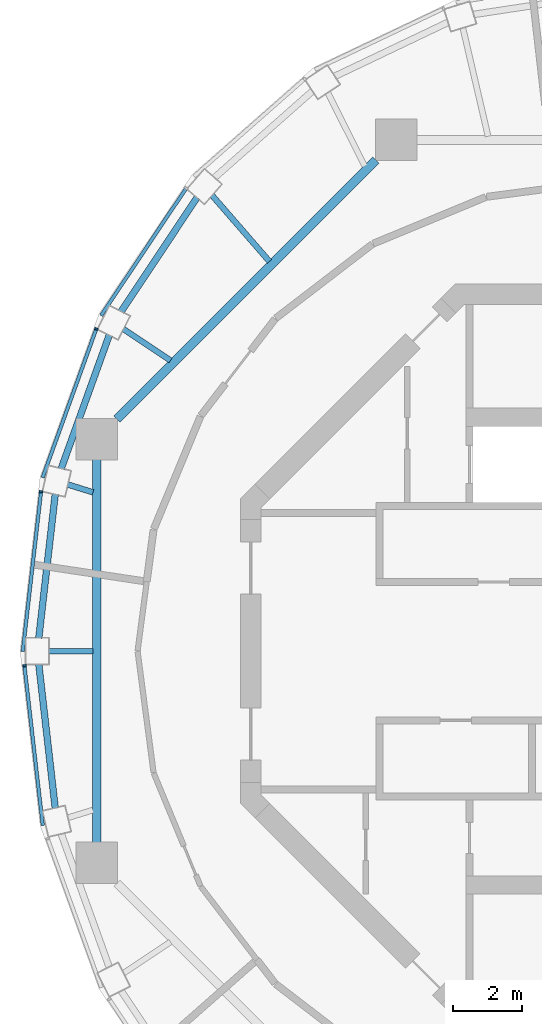
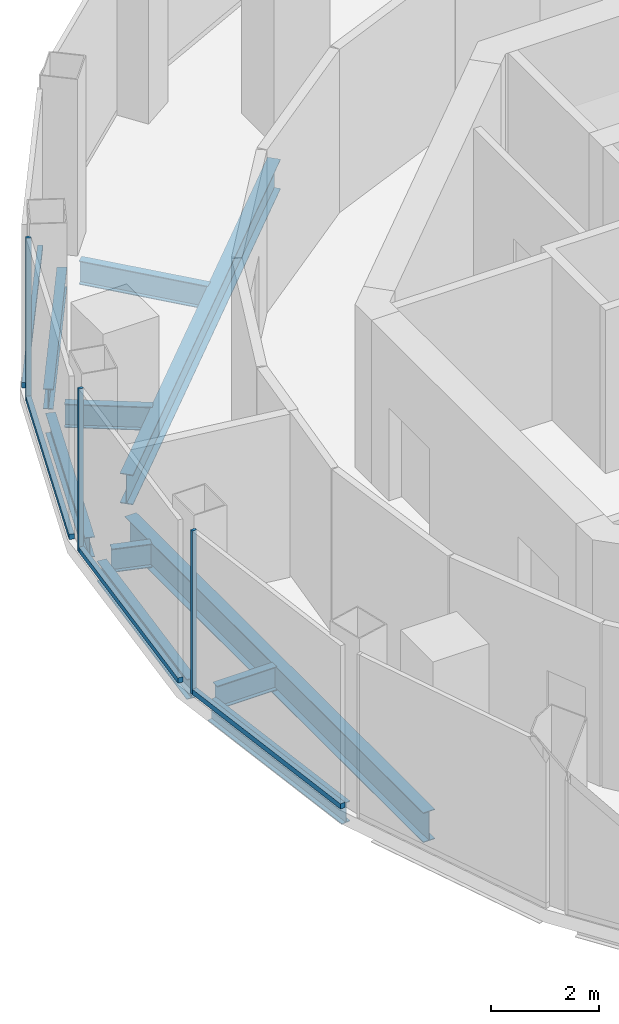
# One storey, part 4 of 11: 10 beams, 7 members, 4 elements without a shape of their own.
"""IFC4 building model written with IfcOpenShell, lengths in metres."""

from ifc_helpers import new_model, si_unit, direction, frame, origin, origin_2d, place, context, subcontext, project, spatial, rectangle, i_section, extrude, material, layer, layer_set, material_profile, profile_set, type_object, element, aggregate, save


model = new_model("IFC4")

# Units and contexts
model_context = context("Model", 3, precision=1e-05, world=origin(), true_north=direction((0.0, 1.0)))
body_context = subcontext(model_context, "Body", "Model", "MODEL_VIEW")
ifc_project = project(units=[si_unit("LENGTHUNIT", "METRE"), si_unit("AREAUNIT", "SQUARE_METRE"), si_unit("VOLUMEUNIT", "CUBIC_METRE"), si_unit("PLANEANGLEUNIT", "RADIAN"), si_unit("MASSUNIT", "GRAM", prefix="KILO")], contexts=[model_context])

# Site, building, storey
site_placement = place(None, origin())
site = spatial("IfcSite", under=ifc_project, at=site_placement, CompositionType="ELEMENT")
building_placement = place(site_placement, origin())
building = spatial("IfcBuilding", under=site, at=building_placement, Name="Nagisa Residences", CompositionType="ELEMENT")
storey_placement = place(building_placement, frame((0.0, 0.0, 332.89990234375)))
storey = spatial("IfcBuildingStorey", under=building, at=storey_placement, Name="L82", CompositionType="ELEMENT", Elevation=332.89990234375)

# Curtain wall, member
ifc_material_1 = material(Name="Aluminium curtain wall system", Category="aluminium")
ifc_layer = layer(ifc_material_1, 0.159912109375)
ifc_layer_set = layer_set([ifc_layer], Name="CW5 CURTAIN WALL")
curtain_wall_type = type_object("IfcCurtainWallType", Name="CW5 CURTAIN WALL", PredefinedType="NOTDEFINED", material=ifc_layer_set)
curtain_wall_1_placement = place(storey_placement, origin())
curtain_wall_1 = element("IfcCurtainWall", 1, at=curtain_wall_1_placement, inside=storey, type_object=curtain_wall_type, Name="cw:CW5:L82:10", PredefinedType="NOTDEFINED")
ifc_material_2 = material(Name="Aluminium", Category="aluminium")
ifc_material_profile_1 = material_profile(ifc_material_2, rectangle(XDim=0.10009765625, YDim=0.06005859375, at=origin_2d()), Name="CW5 MULLION 100x60")
ifc_profile_set_1 = profile_set([ifc_material_profile_1], Name="Aluminium")
member_type_1 = type_object("IfcMemberType", Name="CW5 MULLION 100x60", PredefinedType="MULLION", material=ifc_profile_set_1)
member_1_placement = place(storey_placement, frame((-14.793212890625, 9.318359375, 0.0), z_axis=(0.0, 0.0, 1.0), x_axis=(0.940554456033, -0.339642923136, 0.0)))
member_1 = element("IfcMember", 2, at=member_1_placement, type_object=member_type_1, Name="CW5 mullion", PredefinedType="MULLION", context=body_context, shape_type="SweptSolid", body=[
    extrude(rectangle(XDim=0.10009765625, YDim=0.06005859375, at=origin_2d()), origin(), (0.0, 0.0, 1.0), 3.7001953125),
])

curtain_wall_2_placement = place(storey_placement, origin())
curtain_wall_2 = element("IfcCurtainWall", 3, at=curtain_wall_2_placement, inside=storey, type_object=curtain_wall_type, Name="cw:CW5:L82:11", PredefinedType="NOTDEFINED")
member_2_placement = place(storey_placement, frame((-16.390380859375, 4.610595703125, 0.0), z_axis=(0.0, 0.0, 1.0), x_axis=(0.993477835048, -0.114025397474, 0.0)))
member_2 = element("IfcMember", 4, at=member_2_placement, type_object=member_type_1, Name="CW5 mullion", PredefinedType="MULLION", context=body_context, shape_type="SweptSolid", body=[
    extrude(rectangle(XDim=0.10009765625, YDim=0.06005859375, at=origin_2d()), origin(), (0.0, 0.0, 1.0), 3.7001953125),
])

curtain_wall_3_placement = place(storey_placement, origin())
curtain_wall_3 = element("IfcCurtainWall", 5, at=curtain_wall_3_placement, inside=storey, type_object=curtain_wall_type, Name="cw:CW5:L82:12", PredefinedType="NOTDEFINED")
member_3_placement = place(storey_placement, frame((-16.87158203125, -0.41796875, 0.0), z_axis=(0.0, 0.0, 1.0), x_axis=(0.993477835048, 0.114025397474, 0.0)))
member_3 = element("IfcMember", 6, at=member_3_placement, type_object=member_type_1, Name="CW5 mullion", PredefinedType="MULLION", context=body_context, shape_type="SweptSolid", body=[
    extrude(rectangle(XDim=0.10009765625, YDim=0.06005859375, at=origin_2d()), origin(), (0.0, 0.0, 1.0), 3.7001953125),
])

curtain_wall_4_placement = place(storey_placement, origin())
curtain_wall_4 = element("IfcCurtainWall", 7, at=curtain_wall_4_placement, inside=storey, type_object=curtain_wall_type, Name="cw:CW5:L82:09", PredefinedType="NOTDEFINED")
ifc_material_3 = material(Name="Aluminium", Category="aluminium")
ifc_material_profile_2 = material_profile(ifc_material_3, rectangle(XDim=0.10009765625, YDim=0.1201171875, at=origin_2d()), Name="CW5 TRANSOM 100x120")
ifc_profile_set_2 = profile_set([ifc_material_profile_2], Name="Aluminium")
member_type_2 = type_object("IfcMemberType", Name="CW5 TRANSOM 100x120", PredefinedType="USERDEFINED", material=ifc_profile_set_2)
member_4_placement = place(storey_placement, frame((-12.1767578125, 13.41162109375, 0.06005859375), z_axis=(-0.556026221044, -0.831164749921, 0.0), x_axis=(0.831164749921, -0.556026221044, 0.0)))
member_4 = element("IfcMember", 8, at=member_4_placement, type_object=member_type_2, Name="CW5 transom", ObjectType="TRANSOM", PredefinedType="USERDEFINED", context=body_context, shape_type="SweptSolid", body=[
    extrude(rectangle(XDim=0.10009765625, YDim=0.1201171875, at=origin_2d()), origin(), (0.0, 0.0, 1.0), 4.458984375),
])
aggregate(curtain_wall_4, [member_4])

# Member
member_5_placement = place(storey_placement, frame((-14.782958984375, 9.3466796875, 0.06005859375), z_axis=(-0.339645767878, -0.940553428766, 0.0), x_axis=(0.940553428766, -0.339645767878, 0.0)))
member_5 = element("IfcMember", 9, at=member_5_placement, type_object=member_type_2, Name="CW5 transom", ObjectType="TRANSOM", PredefinedType="USERDEFINED", context=body_context, shape_type="SweptSolid", body=[
    extrude(rectangle(XDim=0.10009765625, YDim=0.1201171875, at=origin_2d()), origin(), (0.0, 0.0, 1.0), 4.600341796875),
])

aggregate(curtain_wall_1, [member_1, member_5])

member_6_placement = place(storey_placement, frame((-16.386962890625, 4.640380859375, 0.06005859375), z_axis=(-0.11398649568, -0.993482299189, 0.0), x_axis=(0.993482299189, -0.11398649568, 0.0)))
member_6 = element("IfcMember", 10, at=member_6_placement, type_object=member_type_2, Name="CW5 transom", ObjectType="TRANSOM", PredefinedType="USERDEFINED", context=body_context, shape_type="SweptSolid", body=[
    extrude(rectangle(XDim=0.10009765625, YDim=0.1201171875, at=origin_2d()), origin(), (0.0, 0.0, 1.0), 4.679931640625),
])

aggregate(curtain_wall_2, [member_2, member_6])

member_7_placement = place(storey_placement, frame((-16.875, -0.38818359375, 0.06005859375), z_axis=(0.114032075188, -0.993477068597, 0.0), x_axis=(0.993477068597, 0.114032075188, 0.0)))
member_7 = element("IfcMember", 11, at=member_7_placement, type_object=member_type_2, Name="CW5 transom", ObjectType="TRANSOM", PredefinedType="USERDEFINED", context=body_context, shape_type="SweptSolid", body=[
    extrude(rectangle(XDim=0.10009765625, YDim=0.1201171875, at=origin_2d()), origin(), (0.0, 0.0, 1.0), 4.68017578125),
])

aggregate(curtain_wall_3, [member_3, member_7])

# Beams
ifc_material_4 = material(Name="Steel ASTM A572 Gr 50", Category="steel")
ifc_material_profile_3 = material_profile(ifc_material_4, i_section(OverallWidth=0.2529296875, OverallDepth=0.677978515625, WebThickness=0.01171875, FlangeThickness=0.016357421875, at=origin_2d()), Name="W690x125")
ifc_profile_set_3 = profile_set([ifc_material_profile_3], Name="Steel ASTM A572 Gr 50")
beam_type_1 = type_object("IfcBeamType", Name="Inner ring beam W690x125", PredefinedType="BEAM", material=ifc_profile_set_3)
beam_1_placement = place(storey_placement, frame((-6.708740234375, 14.1962890625, -0.638916015625), z_axis=(-0.707106781187, -0.707106781187, 0.0), x_axis=(0.707106781187, -0.707106781187, 0.0)))
element("IfcBeam", 12, at=beam_1_placement, inside=storey, type_object=beam_type_1, Name="beam:L82:ib3", PredefinedType="BEAM", context=body_context, shape_type="SweptSolid", body=[
    extrude(i_section(OverallWidth=0.2529296875, OverallDepth=0.677978515625, WebThickness=0.01171875, FlangeThickness=0.016357421875, at=origin_2d()), origin(), (0.0, 0.0, 1.0), 10.589111328125),
])
beam_2_placement = place(storey_placement, frame((-14.781982421875, 5.54296875, -0.638916015625), z_axis=(0.0, -1.0, 0.0), x_axis=(1.0, 0.0, 0.0)))
element("IfcBeam", 13, at=beam_2_placement, inside=storey, type_object=beam_type_1, Name="beam:L82:ib4", PredefinedType="BEAM", context=body_context, shape_type="SweptSolid", body=[
    extrude(i_section(OverallWidth=0.2529296875, OverallDepth=0.677978515625, WebThickness=0.01171875, FlangeThickness=0.016357421875, at=origin_2d()), origin(), (0.0, 0.0, 1.0), 11.0859375),
])
ifc_material_5 = material(Name="Steel ASTM A572 Gr 50", Category="steel")
ifc_material_profile_4 = material_profile(ifc_material_5, i_section(OverallWidth=0.18994140625, OverallDepth=0.45703125, WebThickness=0.009033203125, FlangeThickness=0.014404296875, at=origin_2d()), Name="W460x74")
ifc_profile_set_4 = profile_set([ifc_material_profile_4], Name="Steel ASTM A572 Gr 50")
beam_type_2 = type_object("IfcBeamType", Name="Perimeter ring beam W460x74", PredefinedType="BEAM", material=ifc_profile_set_4)
beam_3_placement = place(storey_placement, frame((-11.8798828125, 13.115966796875, -0.5283203125), z_axis=(-0.554529560082, -0.832164026497, 0.0), x_axis=(0.832164026497, -0.554529560082, 0.0)))
element("IfcBeam", 14, at=beam_3_placement, inside=storey, type_object=beam_type_2, Name="beam:L82:pb10", PredefinedType="BEAM", context=body_context, shape_type="SweptSolid", body=[
    extrude(i_section(OverallWidth=0.18994140625, OverallDepth=0.45703125, WebThickness=0.009033203125, FlangeThickness=0.014404296875, at=origin_2d()), origin(), (0.0, 0.0, 1.0), 3.96240234375),
])
beam_4_placement = place(storey_placement, frame((-14.4189453125, 9.1396484375, -0.5283203125), z_axis=(-0.338517252251, -0.940960185092, 0.0), x_axis=(0.940960185092, -0.338517252251, 0.0)))
element("IfcBeam", 15, at=beam_4_placement, inside=storey, type_object=beam_type_2, Name="beam:L82:pb11", PredefinedType="BEAM", context=body_context, shape_type="SweptSolid", body=[
    extrude(i_section(OverallWidth=0.18994140625, OverallDepth=0.45703125, WebThickness=0.009033203125, FlangeThickness=0.014404296875, at=origin_2d()), origin(), (0.0, 0.0, 1.0), 4.1044921875),
])
for number, where, z_axis, x_axis, name in (
    (16, (-15.981201171875, 4.537353515625, -0.5283203125), (-0.113600894263, -0.993526465084, 0.0), (0.993526465084, -0.113600894263, 0.0), "beam:L82:pb12"),
    (17, (-16.45654296875, -0.380126953125, -0.5283203125), (0.113600894263, -0.993526465084, 0.0), (0.993526465084, 0.113600894263, 0.0), "beam:L82:pb13"),
):
    element("IfcBeam", number, at=place(storey_placement, frame(where, z_axis=z_axis, x_axis=x_axis)), inside=storey, type_object=beam_type_2, Name=name, PredefinedType="BEAM", context=body_context, shape_type="SweptSolid", body=[
        extrude(i_section(OverallWidth=0.18994140625, OverallDepth=0.45703125, WebThickness=0.009033203125, FlangeThickness=0.014404296875, at=origin_2d()), origin(), (0.0, 0.0, 1.0), 4.184326171875),
    ])
ifc_material_6 = material(Name="Steel ASTM A572 Gr 50", Category="steel")
ifc_material_profile_5 = material_profile(ifc_material_6, i_section(OverallWidth=0.166015625, OverallDepth=0.534912109375, WebThickness=0.01025390625, FlangeThickness=0.0166015625, at=origin_2d()), Name="W530x85")
ifc_profile_set_5 = profile_set([ifc_material_profile_5], Name="Steel ASTM A572 Gr 50")
beam_type_3 = type_object("IfcBeamType", Name="Radial beam W530x85", PredefinedType="BEAM", material=ifc_profile_set_5)
beam_5_placement = place(storey_placement, frame((-11.44873046875, 13.183349609375, -0.5673828125), z_axis=(0.655718438616, -0.755005516045, 0.0), x_axis=(0.755005516045, 0.655718438616, 0.0)))
element("IfcBeam", 18, at=beam_5_placement, inside=storey, type_object=beam_type_3, Name="beam:L82:rb10", PredefinedType="BEAM", context=body_context, shape_type="SweptSolid", body=[
    extrude(i_section(OverallWidth=0.166015625, OverallDepth=0.534912109375, WebThickness=0.01025390625, FlangeThickness=0.0166015625, at=origin_2d()), origin(), (0.0, 0.0, 1.0), 2.53515625),
])
beam_6_placement = place(storey_placement, frame((-14.012451171875, 9.31591796875, -0.5673828125), z_axis=(0.832714310154, -0.553702878505, 0.0), x_axis=(0.553702878505, 0.832714310154, 0.0)))
element("IfcBeam", 19, at=beam_6_placement, inside=storey, type_object=beam_type_3, Name="beam:L82:rb11", PredefinedType="BEAM", context=body_context, shape_type="SweptSolid", body=[
    extrude(i_section(OverallWidth=0.166015625, OverallDepth=0.534912109375, WebThickness=0.01025390625, FlangeThickness=0.0166015625, at=origin_2d()), origin(), (0.0, 0.0, 1.0), 1.638916015625),
])
beam_7_placement = place(storey_placement, frame((-15.62158203125, 4.820068359375, -0.5673828125), z_axis=(0.955489220567, -0.295026014753, 0.0), x_axis=(0.295026014753, 0.955489220567, 0.0)))
element("IfcBeam", 20, at=beam_7_placement, inside=storey, type_object=beam_type_3, Name="beam:L82:rb12", PredefinedType="BEAM", context=body_context, shape_type="SweptSolid", body=[
    extrude(i_section(OverallWidth=0.166015625, OverallDepth=0.534912109375, WebThickness=0.01025390625, FlangeThickness=0.0166015625, at=origin_2d()), origin(), (0.0, 0.0, 1.0), 0.766357421875),
])
beam_8_placement = place(storey_placement, frame((-16.169921875, 0.0, -0.5673828125), z_axis=(1.0, 0.0, 0.0), x_axis=(0.0, 1.0, 0.0)))
element("IfcBeam", 21, at=beam_8_placement, inside=storey, type_object=beam_type_3, Name="beam:L82:rb13", PredefinedType="BEAM", context=body_context, shape_type="SweptSolid", body=[
    extrude(i_section(OverallWidth=0.166015625, OverallDepth=0.534912109375, WebThickness=0.01025390625, FlangeThickness=0.0166015625, at=origin_2d()), origin(), (0.0, 0.0, 1.0), 1.28125),
])

save(model, "model.ifc")
